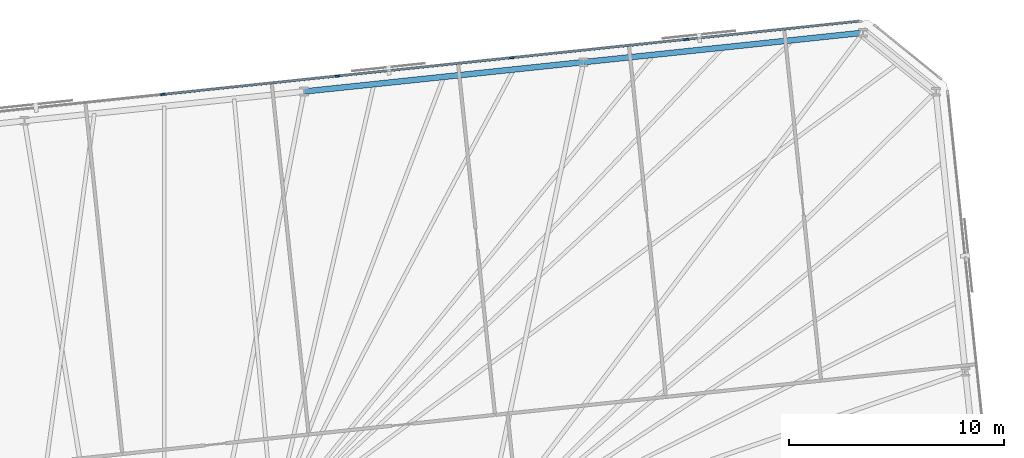
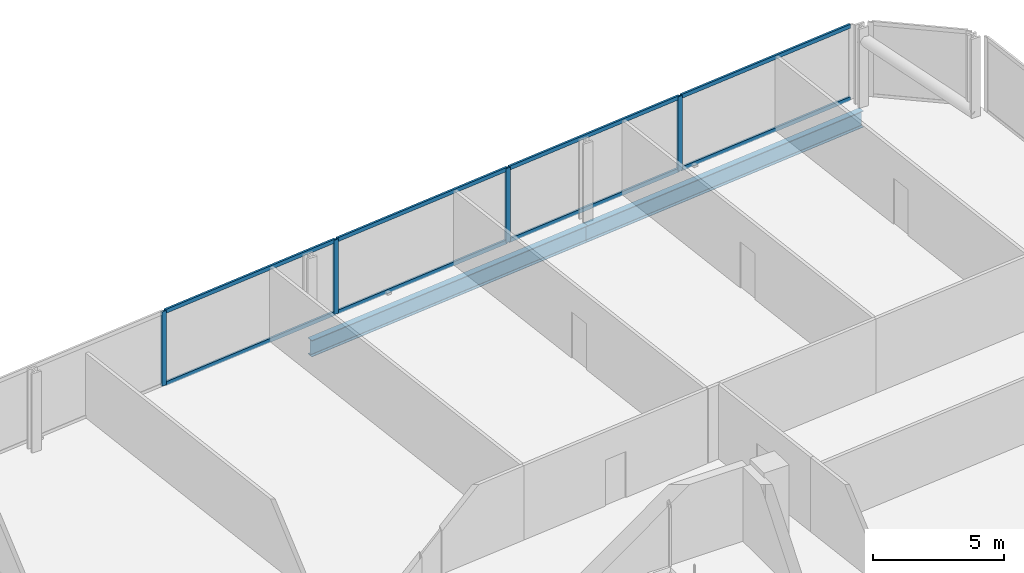
# One storey, part 11 of 18: 12 members, 2 beams, 1 element without a shape of its own.
"""IFC4 building model written with IfcOpenShell, lengths in metres."""

from ifc_helpers import new_model, si_unit, direction, frame, origin, origin_2d, place, context, subcontext, project, spatial, rectangle, i_section, extrude, material, material_profile, profile_set, type_object, element, aggregate, save


model = new_model("IFC4")

# Units and contexts
model_context = context("Model", 3, precision=1e-05, world=origin(), true_north=direction((0.0, 1.0)))
body_context = subcontext(model_context, "Body", "Model", "MODEL_VIEW")
ifc_project = project(units=[si_unit("LENGTHUNIT", "METRE"), si_unit("AREAUNIT", "SQUARE_METRE"), si_unit("VOLUMEUNIT", "CUBIC_METRE"), si_unit("PLANEANGLEUNIT", "RADIAN"), si_unit("MASSUNIT", "GRAM", prefix="KILO")], contexts=[model_context])

# Site, building, storey
site_placement = place(None, origin())
site = spatial("IfcSite", under=ifc_project, at=site_placement, CompositionType="ELEMENT")
building_placement = place(site_placement, origin())
building = spatial("IfcBuilding", under=site, at=building_placement, Name="Menara Jurai Vektor", CompositionType="ELEMENT")
storey_placement = place(building_placement, frame((0.0, 0.0, 105.89990234375)))
storey = spatial("IfcBuildingStorey", under=building, at=storey_placement, Name="L26", CompositionType="ELEMENT", Elevation=105.89990234375)

# Curtain wall, members
ifc_material_1 = material(Name="Anodised Pale Aluminium & Low-E Double Glazing", Category="aluminium")
curtain_wall_type = type_object("IfcCurtainWallType", Name="CW-BLK2", PredefinedType="NOTDEFINED", material=ifc_material_1)
curtain_wall_placement = place(storey_placement, origin())
curtain_wall = element("IfcCurtainWall", 1, at=curtain_wall_placement, inside=storey, type_object=curtain_wall_type, Name="Unitised Curtain Wall L26 F05", PredefinedType="NOTDEFINED")
ifc_material_2 = material(Name="Anodised Pale Aluminium Mullion", Category="aluminium")
ifc_material_profile_1 = material_profile(ifc_material_2, rectangle(XDim=0.090087890625, YDim=0.219970703125, at=origin_2d()), Name="ALU MUL 90x220")
ifc_profile_set_1 = profile_set([ifc_material_profile_1], Name="Anodised Pale Aluminium Mullion")
member_type_1 = type_object("IfcMemberType", Name="CW-BLK2-MUL", PredefinedType="MULLION", material=ifc_profile_set_1)
member_1_placement = place(storey_placement, frame((24.663330078125, 28.075927734375, 0.0), z_axis=(0.0, 0.0, 1.0), x_axis=(0.104528634935, -0.994521877325, 0.0)))
member_1 = element("IfcMember", 2, at=member_1_placement, type_object=member_type_1, Name="CW-02 mullion 2", PredefinedType="MULLION", context=body_context, shape_type="SweptSolid", body=[
    extrude(rectangle(XDim=0.090087890625, YDim=0.219970703125, at=origin_2d()), origin(), (0.0, 0.0, 1.0), 3.47509765625),
])
member_2_placement = place(storey_placement, frame((16.5654296875, 27.224853515625, 0.0), z_axis=(0.0, 0.0, 1.0), x_axis=(0.104528634935, -0.994521877325, 0.0)))
member_2 = element("IfcMember", 3, at=member_2_placement, type_object=member_type_1, Name="CW-02 mullion 3", PredefinedType="MULLION", context=body_context, shape_type="SweptSolid", body=[
    extrude(rectangle(XDim=0.090087890625, YDim=0.219970703125, at=origin_2d()), origin(), (0.0, 0.0, 1.0), 3.47509765625),
])
member_3_placement = place(storey_placement, frame((8.467529296875, 26.373779296875, 0.0), z_axis=(0.0, 0.0, 1.0), x_axis=(0.104528634935, -0.994521877325, 0.0)))
member_3 = element("IfcMember", 4, at=member_3_placement, type_object=member_type_1, Name="CW-02 mullion 4", PredefinedType="MULLION", context=body_context, shape_type="SweptSolid", body=[
    extrude(rectangle(XDim=0.090087890625, YDim=0.219970703125, at=origin_2d()), origin(), (0.0, 0.0, 1.0), 3.47509765625),
])
member_4_placement = place(storey_placement, frame((0.36962890625, 25.522705078125, 0.0), z_axis=(0.0, 0.0, 1.0), x_axis=(0.104528634935, -0.994521877325, 0.0)))
member_4 = element("IfcMember", 5, at=member_4_placement, type_object=member_type_1, Name="CW-02 mullion 5", PredefinedType="MULLION", context=body_context, shape_type="SweptSolid", body=[
    extrude(rectangle(XDim=0.090087890625, YDim=0.219970703125, at=origin_2d()), origin(), (0.0, 0.0, 1.0), 3.47509765625),
])
ifc_material_3 = material(Name="Anodised Pale Aluminium Transom", Category="aluminium")
ifc_material_profile_2 = material_profile(ifc_material_3, rectangle(XDim=0.090087890625, YDim=0.18505859375, at=origin_2d()), Name="ALU TRN 90x185")
ifc_profile_set_2 = profile_set([ifc_material_profile_2], Name="Anodised Pale Aluminium Transom")
member_type_2 = type_object("IfcMemberType", Name="CW-BLK2-TRN", PredefinedType="USERDEFINED", material=ifc_profile_set_2)
member_5_placement = place(storey_placement, frame((32.671875, 28.917724609375, 0.045166015625), z_axis=(-0.994519977808, -0.104546706027, 0.0), x_axis=(0.104546706027, -0.994519977808, 0.0)))
member_5 = element("IfcMember", 6, at=member_5_placement, type_object=member_type_2, Name="CW-02 transom 1.1", ObjectType="TRANSOM", PredefinedType="USERDEFINED", context=body_context, shape_type="SweptSolid", body=[
    extrude(rectangle(XDim=0.090087890625, YDim=0.18505859375, at=origin_2d()), origin(), (0.0, 0.0, 1.0), 8.007568359375),
])
member_6_placement = place(storey_placement, frame((32.671875, 28.917724609375, 3.43017578125), z_axis=(-0.994519977808, -0.104546706027, 0.0), x_axis=(0.104546706027, -0.994519977808, 0.0)))
member_6 = element("IfcMember", 7, at=member_6_placement, type_object=member_type_2, Name="CW-02 transom 1.2", ObjectType="TRANSOM", PredefinedType="USERDEFINED", context=body_context, shape_type="SweptSolid", body=[
    extrude(rectangle(XDim=0.090087890625, YDim=0.18505859375, at=origin_2d()), origin(), (0.0, 0.0, 1.0), 8.007568359375),
])
member_7_placement = place(storey_placement, frame((24.61865234375, 28.0712890625, 0.045166015625), z_axis=(-0.994520726373, -0.10453958492, 0.0), x_axis=(0.10453958492, -0.994520726373, 0.0)))
member_7 = element("IfcMember", 8, at=member_7_placement, type_object=member_type_2, Name="CW-02 transom 2.1", ObjectType="TRANSOM", PredefinedType="USERDEFINED", context=body_context, shape_type="SweptSolid", body=[
    extrude(rectangle(XDim=0.090087890625, YDim=0.18505859375, at=origin_2d()), origin(), (0.0, 0.0, 1.0), 8.052490234375),
])
member_8_placement = place(storey_placement, frame((24.61865234375, 28.0712890625, 3.43017578125), z_axis=(-0.994520726373, -0.10453958492, 0.0), x_axis=(0.10453958492, -0.994520726373, 0.0)))
member_8 = element("IfcMember", 9, at=member_8_placement, type_object=member_type_2, Name="CW-02 transom 2.2", ObjectType="TRANSOM", PredefinedType="USERDEFINED", context=body_context, shape_type="SweptSolid", body=[
    extrude(rectangle(XDim=0.090087890625, YDim=0.18505859375, at=origin_2d()), origin(), (0.0, 0.0, 1.0), 8.052490234375),
])
member_9_placement = place(storey_placement, frame((16.520751953125, 27.22021484375, 0.045166015625), z_axis=(-0.994520726373, -0.10453958492, 0.0), x_axis=(0.10453958492, -0.994520726373, 0.0)))
member_9 = element("IfcMember", 10, at=member_9_placement, type_object=member_type_2, Name="CW-02 transom 3.1", ObjectType="TRANSOM", PredefinedType="USERDEFINED", context=body_context, shape_type="SweptSolid", body=[
    extrude(rectangle(XDim=0.090087890625, YDim=0.18505859375, at=origin_2d()), origin(), (0.0, 0.0, 1.0), 8.052490234375),
])
member_10_placement = place(storey_placement, frame((16.520751953125, 27.22021484375, 3.43017578125), z_axis=(-0.994520726373, -0.10453958492, 0.0), x_axis=(0.10453958492, -0.994520726373, 0.0)))
member_10 = element("IfcMember", 11, at=member_10_placement, type_object=member_type_2, Name="CW-02 transom 3.2", ObjectType="TRANSOM", PredefinedType="USERDEFINED", context=body_context, shape_type="SweptSolid", body=[
    extrude(rectangle(XDim=0.090087890625, YDim=0.18505859375, at=origin_2d()), origin(), (0.0, 0.0, 1.0), 8.052490234375),
])
member_11_placement = place(storey_placement, frame((8.4228515625, 26.369140625, 0.045166015625), z_axis=(-0.994520726373, -0.10453958492, 0.0), x_axis=(0.10453958492, -0.994520726373, 0.0)))
member_11 = element("IfcMember", 12, at=member_11_placement, type_object=member_type_2, Name="CW-02 transom 4.1", ObjectType="TRANSOM", PredefinedType="USERDEFINED", context=body_context, shape_type="SweptSolid", body=[
    extrude(rectangle(XDim=0.090087890625, YDim=0.18505859375, at=origin_2d()), origin(), (0.0, 0.0, 1.0), 8.052490234375),
])
member_12_placement = place(storey_placement, frame((8.4228515625, 26.369140625, 3.43017578125), z_axis=(-0.994520726373, -0.10453958492, 0.0), x_axis=(0.10453958492, -0.994520726373, 0.0)))
member_12 = element("IfcMember", 13, at=member_12_placement, type_object=member_type_2, Name="CW-02 transom 4.2", ObjectType="TRANSOM", PredefinedType="USERDEFINED", context=body_context, shape_type="SweptSolid", body=[
    extrude(rectangle(XDim=0.090087890625, YDim=0.18505859375, at=origin_2d()), origin(), (0.0, 0.0, 1.0), 8.052490234375),
])
aggregate(curtain_wall, [member_1, member_2, member_3, member_4, member_5, member_6, member_7, member_8, member_9, member_10, member_11, member_12])

# Beams
ifc_material_4 = material(Name="Steel S460", Category="steel")
ifc_material_profile_3 = material_profile(ifc_material_4, i_section(OverallWidth=0.26806640625, OverallDepth=0.77001953125, WebThickness=0.01611328125, FlangeThickness=0.02490234375, FilletRadius=0.01708984375, at=origin_2d()), Name="UKB 762x267x197")
ifc_profile_set_3 = profile_set([ifc_material_profile_3], Name="Steel S460")
beam_type = type_object("IfcBeamType", Name="STR-SP-762", PredefinedType="SPANDREL", material=ifc_profile_set_3)
beam_1_placement = place(storey_placement, frame((32.876220703125, 28.38623046875, -0.60986328125), z_axis=(-0.994521431679, -0.104532874882, 0.0), x_axis=(0.104532874882, -0.994521431679, 0.0)))
element("IfcBeam", 14, at=beam_1_placement, inside=storey, type_object=beam_type, Name="Exoskeleton Spandrel Beam L26-11", PredefinedType="SPANDREL", context=body_context, shape_type="SweptSolid", body=[
    extrude(i_section(OverallWidth=0.26806640625, OverallDepth=0.77001953125, WebThickness=0.01611328125, FlangeThickness=0.02490234375, FilletRadius=0.01708984375, at=origin_2d()), origin(), (0.0, 0.0, 1.0), 13.051025390625),
])
beam_2_placement = place(storey_placement, frame((19.896728515625, 27.02197265625, -0.60986328125), z_axis=(-0.994521636083, -0.104530930169, 0.0), x_axis=(0.104530930169, -0.994521636083, 0.0)))
element("IfcBeam", 15, at=beam_2_placement, inside=storey, type_object=beam_type, Name="Exoskeleton Spandrel Beam L26-12", PredefinedType="SPANDREL", context=body_context, shape_type="SweptSolid", body=[
    extrude(i_section(OverallWidth=0.26806640625, OverallDepth=0.77001953125, WebThickness=0.01611328125, FlangeThickness=0.02490234375, FilletRadius=0.01708984375, at=origin_2d()), origin(), (0.0, 0.0, 1.0), 13.05126953125),
])

save(model, "model.ifc")
